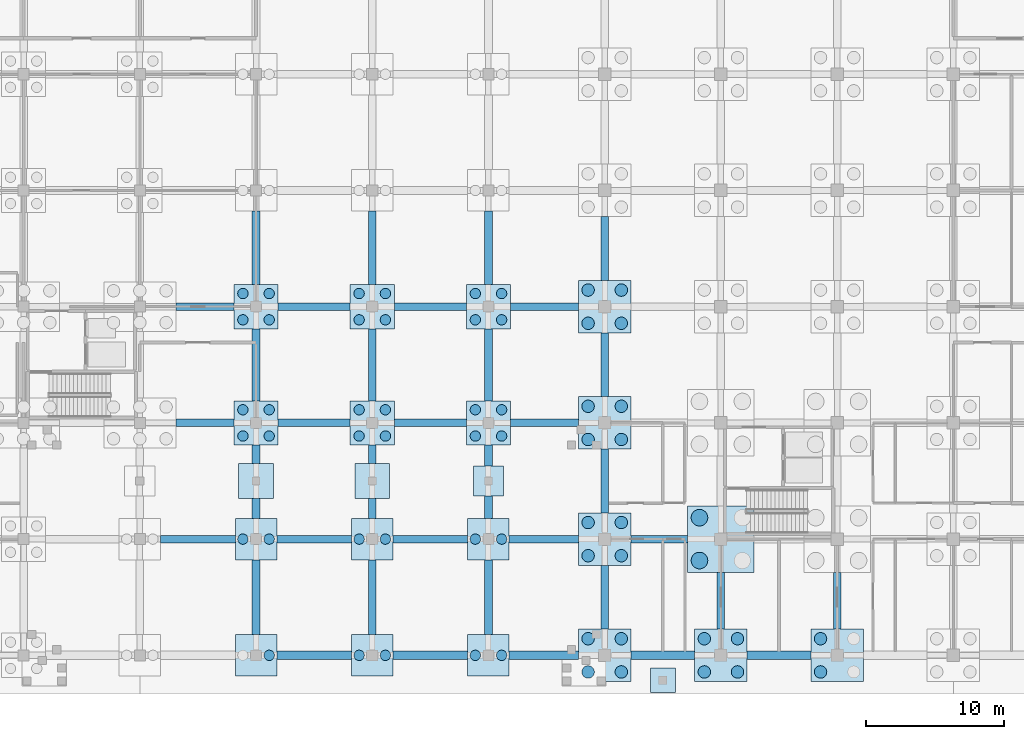
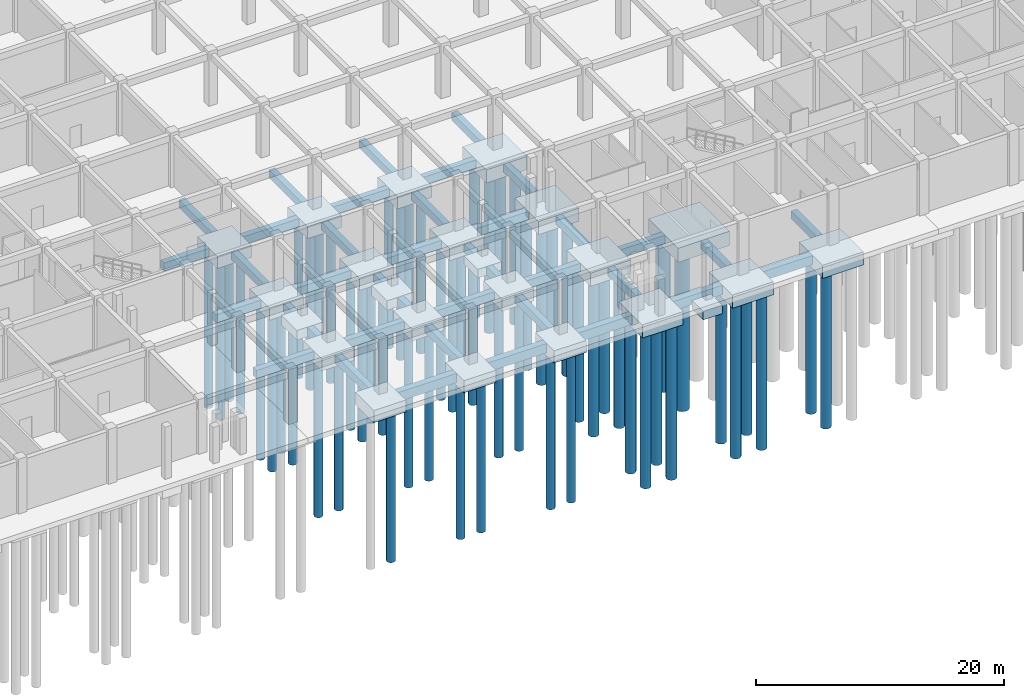
# One storey, part 4 of 65: 62 footings, 59 piles.
"""IFC4 building model written with IfcOpenShell, lengths in metres."""

from ifc_helpers import new_model, si_unit, direction, frame, origin, origin_2d, place, context, subcontext, project, spatial, rectangle, circle, extrude, material, material_profile, profile_set, type_object, element, save


model = new_model("IFC4")

# Units and contexts
model_context = context("Model", 3, precision=1e-05, world=origin(), true_north=direction((0.0, 1.0)))
body_context = subcontext(model_context, "Body", "Model", "MODEL_VIEW")
ifc_project = project(units=[si_unit("LENGTHUNIT", "METRE"), si_unit("AREAUNIT", "SQUARE_METRE"), si_unit("VOLUMEUNIT", "CUBIC_METRE"), si_unit("PLANEANGLEUNIT", "RADIAN"), si_unit("MASSUNIT", "GRAM", prefix="KILO")], contexts=[model_context])

# Site, building, storey
site_placement = place(None, origin())
site = spatial("IfcSite", under=ifc_project, at=site_placement, CompositionType="ELEMENT")
building_placement = place(site_placement, origin())
building = spatial("IfcBuilding", under=site, at=building_placement, Name="Bramfleet General Hospital", CompositionType="ELEMENT")
storey_placement = place(building_placement, frame((0.0, 0.0, -5.39990234375)))
storey = spatial("IfcBuildingStorey", under=building, at=storey_placement, Name="B1", CompositionType="ELEMENT", Elevation=-5.39990234375)

# Footings
ifc_material = material(Name="Concrete C35/45", Category="concrete")
ifc_material_profile_1 = material_profile(ifc_material, rectangle(XDim=0.550048828125, YDim=0.800048828125, at=origin_2d()), Name="RC FB 800x550")
ifc_profile_set_1 = profile_set([ifc_material_profile_1], Name="Concrete C35/45")
footing_type_1 = type_object("IfcFootingType", Name="FTG-FB-01", PredefinedType="FOOTING_BEAM", material=ifc_profile_set_1)
footing_1_placement = place(storey_placement, frame((60.300048828125, 8.39990234375, -0.900146484375), z_axis=(1.0, 0.0, 0.0), x_axis=(0.0, 1.0, 0.0)))
element("IfcFooting", 1, at=footing_1_placement, inside=storey, type_object=footing_type_1, Name="Foundation Tie Beam X 07-01", PredefinedType="FOOTING_BEAM", context=body_context, shape_type="SweptSolid", body=[
    extrude(rectangle(XDim=0.550048828125, YDim=0.800048828125, at=origin_2d()), origin(), (0.0, 0.0, 1.0), 5.39990234375),
])
for number, where, z_axis, x_axis, name in (
    (2, (61.39990234375, 16.800048828125, -0.900146484375), (1.0, 0.0, 0.0), (0.0, 1.0, 0.0), "Foundation Tie Beam X 07-02"),
    (3, (61.39990234375, 25.199951171875, -0.900146484375), (1.0, 0.0, 0.0), (0.0, 1.0, 0.0), "Foundation Tie Beam X 07-03"),
):
    element("IfcFooting", number, at=place(storey_placement, frame(where, z_axis=z_axis, x_axis=x_axis)), inside=storey, type_object=footing_type_1, Name=name, PredefinedType="FOOTING_BEAM", context=body_context, shape_type="SweptSolid", body=[
        extrude(rectangle(XDim=0.550048828125, YDim=0.800048828125, at=origin_2d()), origin(), (0.0, 0.0, 1.0), 4.2001953125),
    ])
footing_2_placement = place(storey_placement, frame((67.199951171875, 1.5, -0.900146484375), z_axis=(0.0, 1.0, 0.0), x_axis=(-1.0, 0.0, 0.0)))
element("IfcFooting", 4, at=footing_2_placement, inside=storey, type_object=footing_type_1, Name="Foundation Tie Beam Y 08-00", PredefinedType="FOOTING_BEAM", context=body_context, shape_type="SweptSolid", body=[
    extrude(rectangle(XDim=0.550048828125, YDim=0.800048828125, at=origin_2d()), origin(), (0.0, 0.0, 1.0), 5.39990234375),
])
footing_3_placement = place(storey_placement, frame((68.699951171875, 8.39990234375, -0.900146484375), z_axis=(1.0, 0.0, 0.0), x_axis=(0.0, 1.0, 0.0)))
element("IfcFooting", 5, at=footing_3_placement, inside=storey, type_object=footing_type_1, Name="Foundation Tie Beam X 08-01", PredefinedType="FOOTING_BEAM", context=body_context, shape_type="SweptSolid", body=[
    extrude(rectangle(XDim=0.550048828125, YDim=0.800048828125, at=origin_2d()), origin(), (0.0, 0.0, 1.0), 5.400146484375),
])
footing_4_placement = place(storey_placement, frame((67.199951171875, 9.89990234375, -0.900146484375), z_axis=(0.0, 1.0, 0.0), x_axis=(-1.0, 0.0, 0.0)))
element("IfcFooting", 6, at=footing_4_placement, inside=storey, type_object=footing_type_1, Name="Foundation Tie Beam Y 08-01A", PredefinedType="FOOTING_BEAM", context=body_context, shape_type="SweptSolid", body=[
    extrude(rectangle(XDim=0.550048828125, YDim=0.800048828125, at=origin_2d()), origin(), (0.0, 0.0, 1.0), 1.4501953125),
])
footing_5_placement = place(storey_placement, frame((67.199951171875, 13.85009765625, -0.900146484375), z_axis=(0.0, 1.0, 0.0), x_axis=(-1.0, 0.0, 0.0)))
element("IfcFooting", 7, at=footing_5_placement, inside=storey, type_object=footing_type_1, Name="Foundation Tie Beam Y 08-01B", PredefinedType="FOOTING_BEAM", context=body_context, shape_type="SweptSolid", body=[
    extrude(rectangle(XDim=0.550048828125, YDim=0.800048828125, at=origin_2d()), origin(), (0.0, 0.0, 1.0), 1.349853515625),
])
footing_6_placement = place(storey_placement, frame((68.800048828125, 16.800048828125, -0.900146484375), z_axis=(1.0, 0.0, 0.0), x_axis=(0.0, 1.0, 0.0)))
element("IfcFooting", 8, at=footing_6_placement, inside=storey, type_object=footing_type_1, Name="Foundation Tie Beam X 08-02", PredefinedType="FOOTING_BEAM", context=body_context, shape_type="SweptSolid", body=[
    extrude(rectangle(XDim=0.550048828125, YDim=0.800048828125, at=origin_2d()), origin(), (0.0, 0.0, 1.0), 5.199951171875),
])
footing_7_placement = place(storey_placement, frame((67.199951171875, 18.39990234375, -0.900146484375), z_axis=(0.0, 1.0, 0.0), x_axis=(-1.0, 0.0, 0.0)))
element("IfcFooting", 9, at=footing_7_placement, inside=storey, type_object=footing_type_1, Name="Foundation Tie Beam Y 08-02", PredefinedType="FOOTING_BEAM", context=body_context, shape_type="SweptSolid", body=[
    extrude(rectangle(XDim=0.550048828125, YDim=0.800048828125, at=origin_2d()), origin(), (0.0, 0.0, 1.0), 5.2001953125),
])
footing_8_placement = place(storey_placement, frame((68.800048828125, 25.199951171875, -0.900146484375), z_axis=(1.0, 0.0, 0.0), x_axis=(0.0, 1.0, 0.0)))
element("IfcFooting", 10, at=footing_8_placement, inside=storey, type_object=footing_type_1, Name="Foundation Tie Beam X 08-03", PredefinedType="FOOTING_BEAM", context=body_context, shape_type="SweptSolid", body=[
    extrude(rectangle(XDim=0.550048828125, YDim=0.800048828125, at=origin_2d()), origin(), (0.0, 0.0, 1.0), 5.199951171875),
])
footing_9_placement = place(storey_placement, frame((67.199951171875, 26.800048828125, -0.900146484375), z_axis=(0.0, 1.0, 0.0), x_axis=(-1.0, 0.0, 0.0)))
element("IfcFooting", 11, at=footing_9_placement, inside=storey, type_object=footing_type_1, Name="Foundation Tie Beam Y 08-03", PredefinedType="FOOTING_BEAM", context=body_context, shape_type="SweptSolid", body=[
    extrude(rectangle(XDim=0.550048828125, YDim=0.800048828125, at=origin_2d()), origin(), (0.0, 0.0, 1.0), 5.300048828125),
])
for number, where, z_axis, x_axis, name in (
    (12, (75.60009765625, 1.5, -0.900146484375), (0.0, 1.0, 0.0), (-1.0, 0.0, 0.0), "Foundation Tie Beam Y 09-00"),
    (13, (77.10009765625, 8.39990234375, -0.900146484375), (1.0, 0.0, 0.0), (0.0, 1.0, 0.0), "Foundation Tie Beam X 09-01"),
):
    element("IfcFooting", number, at=place(storey_placement, frame(where, z_axis=z_axis, x_axis=x_axis)), inside=storey, type_object=footing_type_1, Name=name, PredefinedType="FOOTING_BEAM", context=body_context, shape_type="SweptSolid", body=[
        extrude(rectangle(XDim=0.550048828125, YDim=0.800048828125, at=origin_2d()), origin(), (0.0, 0.0, 1.0), 5.39990234375),
    ])
footing_10_placement = place(storey_placement, frame((75.60009765625, 9.89990234375, -0.900146484375), z_axis=(0.0, 1.0, 0.0), x_axis=(-1.0, 0.0, 0.0)))
element("IfcFooting", 14, at=footing_10_placement, inside=storey, type_object=footing_type_1, Name="Foundation Tie Beam Y 09-01A", PredefinedType="FOOTING_BEAM", context=body_context, shape_type="SweptSolid", body=[
    extrude(rectangle(XDim=0.550048828125, YDim=0.800048828125, at=origin_2d()), origin(), (0.0, 0.0, 1.0), 1.4501953125),
])
footing_11_placement = place(storey_placement, frame((75.60009765625, 13.85009765625, -0.900146484375), z_axis=(0.0, 1.0, 0.0), x_axis=(-1.0, 0.0, 0.0)))
element("IfcFooting", 15, at=footing_11_placement, inside=storey, type_object=footing_type_1, Name="Foundation Tie Beam Y 09-01B", PredefinedType="FOOTING_BEAM", context=body_context, shape_type="SweptSolid", body=[
    extrude(rectangle(XDim=0.550048828125, YDim=0.800048828125, at=origin_2d()), origin(), (0.0, 0.0, 1.0), 1.349853515625),
])
footing_12_placement = place(storey_placement, frame((77.199951171875, 16.800048828125, -0.900146484375), z_axis=(1.0, 0.0, 0.0), x_axis=(0.0, 1.0, 0.0)))
element("IfcFooting", 16, at=footing_12_placement, inside=storey, type_object=footing_type_1, Name="Foundation Tie Beam X 09-02", PredefinedType="FOOTING_BEAM", context=body_context, shape_type="SweptSolid", body=[
    extrude(rectangle(XDim=0.550048828125, YDim=0.800048828125, at=origin_2d()), origin(), (0.0, 0.0, 1.0), 5.199951171875),
])
footing_13_placement = place(storey_placement, frame((75.60009765625, 18.39990234375, -0.900146484375), z_axis=(0.0, 1.0, 0.0), x_axis=(-1.0, 0.0, 0.0)))
element("IfcFooting", 17, at=footing_13_placement, inside=storey, type_object=footing_type_1, Name="Foundation Tie Beam Y 09-02", PredefinedType="FOOTING_BEAM", context=body_context, shape_type="SweptSolid", body=[
    extrude(rectangle(XDim=0.550048828125, YDim=0.800048828125, at=origin_2d()), origin(), (0.0, 0.0, 1.0), 5.2001953125),
])
footing_14_placement = place(storey_placement, frame((77.199951171875, 25.199951171875, -0.900146484375), z_axis=(1.0, 0.0, 0.0), x_axis=(0.0, 1.0, 0.0)))
element("IfcFooting", 18, at=footing_14_placement, inside=storey, type_object=footing_type_1, Name="Foundation Tie Beam X 09-03", PredefinedType="FOOTING_BEAM", context=body_context, shape_type="SweptSolid", body=[
    extrude(rectangle(XDim=0.550048828125, YDim=0.800048828125, at=origin_2d()), origin(), (0.0, 0.0, 1.0), 5.199951171875),
])
footing_15_placement = place(storey_placement, frame((75.60009765625, 26.800048828125, -0.900146484375), z_axis=(0.0, 1.0, 0.0), x_axis=(-1.0, 0.0, 0.0)))
element("IfcFooting", 19, at=footing_15_placement, inside=storey, type_object=footing_type_1, Name="Foundation Tie Beam Y 09-03", PredefinedType="FOOTING_BEAM", context=body_context, shape_type="SweptSolid", body=[
    extrude(rectangle(XDim=0.550048828125, YDim=0.800048828125, at=origin_2d()), origin(), (0.0, 0.0, 1.0), 5.300048828125),
])
footing_16_placement = place(storey_placement, frame((84.0, 1.5, -0.900146484375), z_axis=(0.0, 1.0, 0.0), x_axis=(-1.0, 0.0, 0.0)))
element("IfcFooting", 20, at=footing_16_placement, inside=storey, type_object=footing_type_1, Name="Foundation Tie Beam Y 10-00", PredefinedType="FOOTING_BEAM", context=body_context, shape_type="SweptSolid", body=[
    extrude(rectangle(XDim=0.550048828125, YDim=0.800048828125, at=origin_2d()), origin(), (0.0, 0.0, 1.0), 5.39990234375),
])
footing_17_placement = place(storey_placement, frame((85.5, 8.39990234375, -0.900146484375), z_axis=(1.0, 0.0, 0.0), x_axis=(0.0, 1.0, 0.0)))
element("IfcFooting", 21, at=footing_17_placement, inside=storey, type_object=footing_type_1, Name="Foundation Tie Beam X 10-01", PredefinedType="FOOTING_BEAM", context=body_context, shape_type="SweptSolid", body=[
    extrude(rectangle(XDim=0.550048828125, YDim=0.800048828125, at=origin_2d()), origin(), (0.0, 0.0, 1.0), 5.0),
])
footing_18_placement = place(storey_placement, frame((84.0, 9.89990234375, -0.900146484375), z_axis=(0.0, 1.0, 0.0), x_axis=(-1.0, 0.0, 0.0)))
element("IfcFooting", 22, at=footing_18_placement, inside=storey, type_object=footing_type_1, Name="Foundation Tie Beam Y 10-01A", PredefinedType="FOOTING_BEAM", context=body_context, shape_type="SweptSolid", body=[
    extrude(rectangle(XDim=0.550048828125, YDim=0.800048828125, at=origin_2d()), origin(), (0.0, 0.0, 1.0), 1.60009765625),
])
footing_19_placement = place(storey_placement, frame((84.0, 13.699951171875, -0.900146484375), z_axis=(0.0, 1.0, 0.0), x_axis=(-1.0, 0.0, 0.0)))
element("IfcFooting", 23, at=footing_19_placement, inside=storey, type_object=footing_type_1, Name="Foundation Tie Beam Y 10-01B", PredefinedType="FOOTING_BEAM", context=body_context, shape_type="SweptSolid", body=[
    extrude(rectangle(XDim=0.550048828125, YDim=0.800048828125, at=origin_2d()), origin(), (0.0, 0.0, 1.0), 1.5),
])
footing_20_placement = place(storey_placement, frame((85.60009765625, 16.800048828125, -0.900146484375), z_axis=(1.0, 0.0, 0.0), x_axis=(0.0, 1.0, 0.0)))
element("IfcFooting", 24, at=footing_20_placement, inside=storey, type_object=footing_type_1, Name="Foundation Tie Beam X 10-02", PredefinedType="FOOTING_BEAM", context=body_context, shape_type="SweptSolid", body=[
    extrude(rectangle(XDim=0.550048828125, YDim=0.800048828125, at=origin_2d()), origin(), (0.0, 0.0, 1.0), 4.89990234375),
])
footing_21_placement = place(storey_placement, frame((84.0, 18.39990234375, -0.900146484375), z_axis=(0.0, 1.0, 0.0), x_axis=(-1.0, 0.0, 0.0)))
element("IfcFooting", 25, at=footing_21_placement, inside=storey, type_object=footing_type_1, Name="Foundation Tie Beam Y 10-02", PredefinedType="FOOTING_BEAM", context=body_context, shape_type="SweptSolid", body=[
    extrude(rectangle(XDim=0.550048828125, YDim=0.800048828125, at=origin_2d()), origin(), (0.0, 0.0, 1.0), 5.2001953125),
])
footing_22_placement = place(storey_placement, frame((85.60009765625, 25.199951171875, -0.900146484375), z_axis=(1.0, 0.0, 0.0), x_axis=(0.0, 1.0, 0.0)))
element("IfcFooting", 26, at=footing_22_placement, inside=storey, type_object=footing_type_1, Name="Foundation Tie Beam X 10-03", PredefinedType="FOOTING_BEAM", context=body_context, shape_type="SweptSolid", body=[
    extrude(rectangle(XDim=0.550048828125, YDim=0.800048828125, at=origin_2d()), origin(), (0.0, 0.0, 1.0), 4.89990234375),
])
footing_23_placement = place(storey_placement, frame((84.0, 26.800048828125, -0.900146484375), z_axis=(0.0, 1.0, 0.0), x_axis=(-1.0, 0.0, 0.0)))
element("IfcFooting", 27, at=footing_23_placement, inside=storey, type_object=footing_type_1, Name="Foundation Tie Beam Y 10-03", PredefinedType="FOOTING_BEAM", context=body_context, shape_type="SweptSolid", body=[
    extrude(rectangle(XDim=0.550048828125, YDim=0.800048828125, at=origin_2d()), origin(), (0.0, 0.0, 1.0), 5.300048828125),
])
footing_24_placement = place(storey_placement, frame((92.39990234375, 1.89990234375, -0.900146484375), z_axis=(0.0, 1.0, 0.0), x_axis=(-1.0, 0.0, 0.0)))
element("IfcFooting", 28, at=footing_24_placement, inside=storey, type_object=footing_type_1, Name="Foundation Tie Beam Y 11-00", PredefinedType="FOOTING_BEAM", context=body_context, shape_type="SweptSolid", body=[
    extrude(rectangle(XDim=0.550048828125, YDim=0.800048828125, at=origin_2d()), origin(), (0.0, 0.0, 1.0), 4.60009765625),
])
footing_25_placement = place(storey_placement, frame((94.300048828125, 8.39990234375, -0.900146484375), z_axis=(1.0, 0.0, 0.0), x_axis=(0.0, 1.0, 0.0)))
element("IfcFooting", 29, at=footing_25_placement, inside=storey, type_object=footing_type_1, Name="Foundation Tie Beam X 11-01", PredefinedType="FOOTING_BEAM", context=body_context, shape_type="SweptSolid", body=[
    extrude(rectangle(XDim=0.550048828125, YDim=0.800048828125, at=origin_2d()), origin(), (0.0, 0.0, 1.0), 4.099853515625),
])
footing_26_placement = place(storey_placement, frame((92.39990234375, 10.300048828125, -0.900146484375), z_axis=(0.0, 1.0, 0.0), x_axis=(-1.0, 0.0, 0.0)))
element("IfcFooting", 30, at=footing_26_placement, inside=storey, type_object=footing_type_1, Name="Foundation Tie Beam Y 11-01", PredefinedType="FOOTING_BEAM", context=body_context, shape_type="SweptSolid", body=[
    extrude(rectangle(XDim=0.550048828125, YDim=0.800048828125, at=origin_2d()), origin(), (0.0, 0.0, 1.0), 4.599853515625),
])
footing_27_placement = place(storey_placement, frame((92.39990234375, 18.699951171875, -0.900146484375), z_axis=(0.0, 1.0, 0.0), x_axis=(-1.0, 0.0, 0.0)))
element("IfcFooting", 31, at=footing_27_placement, inside=storey, type_object=footing_type_1, Name="Foundation Tie Beam Y 11-02", PredefinedType="FOOTING_BEAM", context=body_context, shape_type="SweptSolid", body=[
    extrude(rectangle(XDim=0.550048828125, YDim=0.800048828125, at=origin_2d()), origin(), (0.0, 0.0, 1.0), 4.60009765625),
])
footing_28_placement = place(storey_placement, frame((92.39990234375, 27.10009765625, -0.900146484375), z_axis=(0.0, 1.0, 0.0), x_axis=(-1.0, 0.0, 0.0)))
element("IfcFooting", 32, at=footing_28_placement, inside=storey, type_object=footing_type_1, Name="Foundation Tie Beam Y 11-03", PredefinedType="FOOTING_BEAM", context=body_context, shape_type="SweptSolid", body=[
    extrude(rectangle(XDim=0.550048828125, YDim=0.800048828125, at=origin_2d()), origin(), (0.0, 0.0, 1.0), 4.599853515625),
])
for number, where, z_axis, x_axis, name in (
    (33, (100.800048828125, 1.89990234375, -0.900146484375), (0.0, 1.0, 0.0), (-1.0, 0.0, 0.0), "Foundation Tie Beam Y 12-00"),
    (34, (109.199951171875, 1.89990234375, -0.900146484375), (0.0, 1.0, 0.0), (-1.0, 0.0, 0.0), "Foundation Tie Beam Y 13-00"),
):
    element("IfcFooting", number, at=place(storey_placement, frame(where, z_axis=z_axis, x_axis=x_axis)), inside=storey, type_object=footing_type_1, Name=name, PredefinedType="FOOTING_BEAM", context=body_context, shape_type="SweptSolid", body=[
        extrude(rectangle(XDim=0.550048828125, YDim=0.800048828125, at=origin_2d()), origin(), (0.0, 0.0, 1.0), 4.10009765625),
    ])
ifc_material_profile_2 = material_profile(ifc_material, rectangle(XDim=0.60009765625, YDim=0.89990234375, at=origin_2d()), Name="RC FB 900x600")
ifc_profile_set_2 = profile_set([ifc_material_profile_2], Name="Concrete C35/45")
footing_type_2 = type_object("IfcFootingType", Name="FTG-FB-02", PredefinedType="FOOTING_BEAM", material=ifc_profile_set_2)
footing_29_placement = place(storey_placement, frame((68.699951171875, 0.0, -0.9501953125), z_axis=(1.0, 0.0, 0.0), x_axis=(0.0, 1.0, 0.0)))
element("IfcFooting", 35, at=footing_29_placement, inside=storey, type_object=footing_type_2, Name="Foundation Tie Beam X 08-00", PredefinedType="FOOTING_BEAM", context=body_context, shape_type="SweptSolid", body=[
    extrude(rectangle(XDim=0.60009765625, YDim=0.89990234375, at=origin_2d()), origin(), (0.0, 0.0, 1.0), 5.400146484375),
])
footing_30_placement = place(storey_placement, frame((77.10009765625, 0.0, -0.9501953125), z_axis=(1.0, 0.0, 0.0), x_axis=(0.0, 1.0, 0.0)))
element("IfcFooting", 36, at=footing_30_placement, inside=storey, type_object=footing_type_2, Name="Foundation Tie Beam X 09-00", PredefinedType="FOOTING_BEAM", context=body_context, shape_type="SweptSolid", body=[
    extrude(rectangle(XDim=0.60009765625, YDim=0.89990234375, at=origin_2d()), origin(), (0.0, 0.0, 1.0), 5.39990234375),
])
footing_31_placement = place(storey_placement, frame((85.5, 0.0, -0.9501953125), z_axis=(1.0, 0.0, 0.0), x_axis=(0.0, 1.0, 0.0)))
element("IfcFooting", 37, at=footing_31_placement, inside=storey, type_object=footing_type_2, Name="Foundation Tie Beam X 10-00", PredefinedType="FOOTING_BEAM", context=body_context, shape_type="SweptSolid", body=[
    extrude(rectangle(XDim=0.60009765625, YDim=0.89990234375, at=origin_2d()), origin(), (0.0, 0.0, 1.0), 5.0),
])
footing_32_placement = place(storey_placement, frame((94.300048828125, 0.0, -0.9501953125), z_axis=(1.0, 0.0, 0.0), x_axis=(0.0, 1.0, 0.0)))
element("IfcFooting", 38, at=footing_32_placement, inside=storey, type_object=footing_type_2, Name="Foundation Tie Beam X 11-00", PredefinedType="FOOTING_BEAM", context=body_context, shape_type="SweptSolid", body=[
    extrude(rectangle(XDim=0.60009765625, YDim=0.89990234375, at=origin_2d()), origin(), (0.0, 0.0, 1.0), 4.599853515625),
])
footing_33_placement = place(storey_placement, frame((102.699951171875, 0.0, -0.9501953125), z_axis=(1.0, 0.0, 0.0), x_axis=(0.0, 1.0, 0.0)))
element("IfcFooting", 39, at=footing_33_placement, inside=storey, type_object=footing_type_2, Name="Foundation Tie Beam X 12-00", PredefinedType="FOOTING_BEAM", context=body_context, shape_type="SweptSolid", body=[
    extrude(rectangle(XDim=0.60009765625, YDim=0.89990234375, at=origin_2d()), origin(), (0.0, 0.0, 1.0), 4.60009765625),
])
footing_type_3 = type_object("IfcFootingType", Name="FTG-PC-01", PredefinedType="PILE_CAP", material=ifc_material)
for number, where, z_axis, x_axis, name in (
    (40, (67.199951171875, 0.0, -1.7001953125), (0.0, 0.0, 1.0), (1.0, 0.0, 0.0), "Pile Cap FTG-B1-08-00"),
    (41, (67.199951171875, 8.39990234375, -1.7001953125), (0.0, 0.0, 1.0), (1.0, 0.0, 0.0), "Pile Cap FTG-B1-08-01"),
    (42, (75.60009765625, 0.0, -1.7001953125), (0.0, 0.0, 1.0), (1.0, 0.0, 0.0), "Pile Cap FTG-B1-09-00"),
    (43, (75.60009765625, 8.39990234375, -1.7001953125), (0.0, 0.0, 1.0), (1.0, 0.0, 0.0), "Pile Cap FTG-B1-09-01"),
    (44, (84.0, 0.0, -1.7001953125), (0.0, 0.0, 1.0), (1.0, 0.0, 0.0), "Pile Cap FTG-B1-10-00"),
    (45, (84.0, 8.39990234375, -1.7001953125), (0.0, 0.0, 1.0), (1.0, 0.0, 0.0), "Pile Cap FTG-B1-10-01"),
):
    element("IfcFooting", number, at=place(storey_placement, frame(where, z_axis=z_axis, x_axis=x_axis)), inside=storey, type_object=footing_type_3, Name=name, PredefinedType="PILE_CAP", context=body_context, shape_type="SweptSolid", body=[
        extrude(rectangle(XDim=3.0, YDim=3.0, at=origin_2d()), origin(), (0.0, 0.0, 1.0), 1.199951171875),
    ])
footing_type_4 = type_object("IfcFootingType", Name="FTG-PC-02", PredefinedType="PILE_CAP", material=ifc_material)
for number, where, z_axis, x_axis, name in (
    (46, (67.199951171875, 16.800048828125, -1.7001953125), (0.0, 0.0, 1.0), (1.0, 0.0, 0.0), "Pile Cap FTG-B1-08-02"),
    (47, (67.199951171875, 25.199951171875, -1.7001953125), (0.0, 0.0, 1.0), (1.0, 0.0, 0.0), "Pile Cap FTG-B1-08-03"),
    (48, (75.60009765625, 16.800048828125, -1.7001953125), (0.0, 0.0, 1.0), (1.0, 0.0, 0.0), "Pile Cap FTG-B1-09-02"),
    (49, (75.60009765625, 25.199951171875, -1.7001953125), (0.0, 0.0, 1.0), (1.0, 0.0, 0.0), "Pile Cap FTG-B1-09-03"),
    (50, (84.0, 16.800048828125, -1.7001953125), (0.0, 0.0, 1.0), (1.0, 0.0, 0.0), "Pile Cap FTG-B1-10-02"),
    (51, (84.0, 25.199951171875, -1.7001953125), (0.0, 0.0, 1.0), (1.0, 0.0, 0.0), "Pile Cap FTG-B1-10-03"),
):
    element("IfcFooting", number, at=place(storey_placement, frame(where, z_axis=z_axis, x_axis=x_axis)), inside=storey, type_object=footing_type_4, Name=name, PredefinedType="PILE_CAP", context=body_context, shape_type="SweptSolid", body=[
        extrude(rectangle(XDim=3.199951171875, YDim=3.199951171875, at=origin_2d()), origin(), (0.0, 0.0, 1.0), 1.199951171875),
    ])
footing_type_5 = type_object("IfcFootingType", Name="FTG-PC-04", PredefinedType="PILE_CAP", material=ifc_material)
for number, where, z_axis, x_axis, name in (
    (52, (92.39990234375, 0.0, -1.80029296875), (0.0, 0.0, 1.0), (1.0, 0.0, 0.0), "Pile Cap FTG-B1-11-00"),
    (53, (92.39990234375, 8.39990234375, -1.80029296875), (0.0, 0.0, 1.0), (1.0, 0.0, 0.0), "Pile Cap FTG-B1-11-01"),
    (54, (92.39990234375, 16.800048828125, -1.80029296875), (0.0, 0.0, 1.0), (1.0, 0.0, 0.0), "Pile Cap FTG-B1-11-02"),
    (55, (92.39990234375, 25.199951171875, -1.80029296875), (0.0, 0.0, 1.0), (1.0, 0.0, 0.0), "Pile Cap FTG-B1-11-03"),
    (56, (100.800048828125, 0.0, -1.80029296875), (0.0, 0.0, 1.0), (1.0, 0.0, 0.0), "Pile Cap FTG-B1-12-00"),
    (57, (109.199951171875, 0.0, -1.80029296875), (0.0, 0.0, 1.0), (1.0, 0.0, 0.0), "Pile Cap FTG-B1-13-00"),
):
    element("IfcFooting", number, at=place(storey_placement, frame(where, z_axis=z_axis, x_axis=x_axis)), inside=storey, type_object=footing_type_5, Name=name, PredefinedType="PILE_CAP", context=body_context, shape_type="SweptSolid", body=[
        extrude(rectangle(XDim=3.800048828125, YDim=3.800048828125, at=origin_2d()), origin(), (0.0, 0.0, 1.0), 1.300048828125),
    ])
footing_type_6 = type_object("IfcFootingType", Name="FTG-PC-05", PredefinedType="PILE_CAP", material=ifc_material)
footing_34_placement = place(storey_placement, frame((100.800048828125, 8.39990234375, -1.900146484375), z_axis=(0.0, 0.0, 1.0), x_axis=(1.0, 0.0, 0.0)))
element("IfcFooting", 58, at=footing_34_placement, inside=storey, type_object=footing_type_6, Name="Pile Cap FTG-B1-12-01", PredefinedType="PILE_CAP", context=body_context, shape_type="SweptSolid", body=[
    extrude(rectangle(XDim=4.800048828125, YDim=4.800048828125, at=origin_2d()), origin(), (0.0, 0.0, 1.0), 1.39990234375),
])
footing_type_7 = type_object("IfcFootingType", Name="FTG-PF-01", PredefinedType="PAD_FOOTING", material=ifc_material)
footing_35_placement = place(storey_placement, frame((84.0, 12.60009765625, -1.35009765625), z_axis=(0.0, 0.0, 1.0), x_axis=(1.0, 0.0, 0.0)))
element("IfcFooting", 59, at=footing_35_placement, inside=storey, type_object=footing_type_7, Name="Canopy Foundation Pad Footing 4", PredefinedType="PAD_FOOTING", context=body_context, shape_type="SweptSolid", body=[
    extrude(rectangle(XDim=2.199951171875, YDim=2.199951171875, at=origin_2d()), origin(), (0.0, 0.0, 1.0), 0.85009765625),
])
footing_36_placement = place(storey_placement, frame((96.60009765625, -1.800048828125, -1.35009765625), z_axis=(0.0, 0.0, 1.0), x_axis=(1.0, 0.0, 0.0)))
element("IfcFooting", 60, at=footing_36_placement, inside=storey, type_object=footing_type_7, Name="South Plinth Pad Footing 3", PredefinedType="PAD_FOOTING", context=body_context, shape_type="SweptSolid", body=[
    extrude(rectangle(XDim=1.800048828125, YDim=1.800048828125, at=origin_2d()), origin(), (0.0, 0.0, 1.0), 0.85009765625),
])
footing_type_8 = type_object("IfcFootingType", Name="FTG-PF-02", PredefinedType="PAD_FOOTING", material=ifc_material)
for number, where, z_axis, x_axis, name in (
    (61, (67.199951171875, 12.60009765625, -1.4501953125), (0.0, 0.0, 1.0), (1.0, 0.0, 0.0), "Canopy Foundation Pad Footing 2"),
    (62, (75.60009765625, 12.60009765625, -1.4501953125), (0.0, 0.0, 1.0), (1.0, 0.0, 0.0), "Canopy Foundation Pad Footing 3"),
):
    element("IfcFooting", number, at=place(storey_placement, frame(where, z_axis=z_axis, x_axis=x_axis)), inside=storey, type_object=footing_type_8, Name=name, PredefinedType="PAD_FOOTING", context=body_context, shape_type="SweptSolid", body=[
        extrude(rectangle(XDim=2.5, YDim=2.5, at=origin_2d()), origin(), (0.0, 0.0, 1.0), 0.949951171875),
    ])

# Piles
ifc_material_profile_3 = material_profile(ifc_material, circle(Radius=0.60009765625, at=origin_2d()), Name="PILE BORED D1200")
ifc_profile_set_3 = profile_set([ifc_material_profile_3], Name="Concrete C35/45")
pile_type_1 = type_object("IfcPileType", Name="PILE-D1200", PredefinedType="BORED", material=ifc_profile_set_3)
for number, where, z_axis, x_axis, name in (
    (63, (99.25, 6.85009765625, -1.800048828125), (0.0, 0.0, -1.0), (1.0, 0.0, 0.0), "Bored Pile PILE-B1-12-01-1"),
    (64, (99.25, 9.949951171875, -1.800048828125), (0.0, 0.0, -1.0), (1.0, 0.0, 0.0), "Bored Pile PILE-B1-12-01-3"),
):
    element("IfcPile", number, at=place(storey_placement, frame(where, z_axis=z_axis, x_axis=x_axis)), inside=storey, type_object=pile_type_1, Name=name, PredefinedType="BORED", context=body_context, shape_type="SweptSolid", body=[
        extrude(circle(Radius=0.60009765625, at=origin_2d()), origin(), (0.0, 0.0, 1.0), 15.199951171875),
    ])
ifc_material_profile_4 = material_profile(ifc_material, circle(Radius=0.375, at=origin_2d()), Name="PILE BORED D750")
ifc_profile_set_4 = profile_set([ifc_material_profile_4], Name="Concrete C35/45")
pile_type_2 = type_object("IfcPileType", Name="PILE-D750", PredefinedType="BORED", material=ifc_profile_set_4)
for number, where, z_axis, x_axis, name in (
    (65, (68.14990234375, 0.0, -1.60009765625), (0.0, 0.0, -1.0), (1.0, 0.0, 0.0), "Bored Pile PILE-B1-08-00-2"),
    (66, (66.25, 8.39990234375, -1.60009765625), (0.0, 0.0, -1.0), (1.0, 0.0, 0.0), "Bored Pile PILE-B1-08-01-1"),
    (67, (68.14990234375, 8.39990234375, -1.60009765625), (0.0, 0.0, -1.0), (1.0, 0.0, 0.0), "Bored Pile PILE-B1-08-01-2"),
    (68, (66.25, 15.85009765625, -1.60009765625), (0.0, 0.0, -1.0), (1.0, 0.0, 0.0), "Bored Pile PILE-B1-08-02-1"),
    (69, (68.14990234375, 15.85009765625, -1.60009765625), (0.0, 0.0, -1.0), (1.0, 0.0, 0.0), "Bored Pile PILE-B1-08-02-2"),
    (70, (66.25, 17.75, -1.60009765625), (0.0, 0.0, -1.0), (1.0, 0.0, 0.0), "Bored Pile PILE-B1-08-02-3"),
    (71, (68.14990234375, 17.75, -1.60009765625), (0.0, 0.0, -1.0), (1.0, 0.0, 0.0), "Bored Pile PILE-B1-08-02-4"),
    (72, (66.25, 24.25, -1.60009765625), (0.0, 0.0, -1.0), (1.0, 0.0, 0.0), "Bored Pile PILE-B1-08-03-1"),
    (73, (68.14990234375, 24.25, -1.60009765625), (0.0, 0.0, -1.0), (1.0, 0.0, 0.0), "Bored Pile PILE-B1-08-03-2"),
    (74, (66.25, 26.14990234375, -1.60009765625), (0.0, 0.0, -1.0), (1.0, 0.0, 0.0), "Bored Pile PILE-B1-08-03-3"),
    (75, (68.14990234375, 26.14990234375, -1.60009765625), (0.0, 0.0, -1.0), (1.0, 0.0, 0.0), "Bored Pile PILE-B1-08-03-4"),
    (76, (74.64990234375, 0.0, -1.60009765625), (0.0, 0.0, -1.0), (1.0, 0.0, 0.0), "Bored Pile PILE-B1-09-00-1"),
    (77, (76.550048828125, 0.0, -1.60009765625), (0.0, 0.0, -1.0), (1.0, 0.0, 0.0), "Bored Pile PILE-B1-09-00-2"),
    (78, (74.64990234375, 8.39990234375, -1.60009765625), (0.0, 0.0, -1.0), (1.0, 0.0, 0.0), "Bored Pile PILE-B1-09-01-1"),
    (79, (76.550048828125, 8.39990234375, -1.60009765625), (0.0, 0.0, -1.0), (1.0, 0.0, 0.0), "Bored Pile PILE-B1-09-01-2"),
    (80, (74.64990234375, 15.85009765625, -1.60009765625), (0.0, 0.0, -1.0), (1.0, 0.0, 0.0), "Bored Pile PILE-B1-09-02-1"),
    (81, (76.550048828125, 15.85009765625, -1.60009765625), (0.0, 0.0, -1.0), (1.0, 0.0, 0.0), "Bored Pile PILE-B1-09-02-2"),
    (82, (74.64990234375, 17.75, -1.60009765625), (0.0, 0.0, -1.0), (1.0, 0.0, 0.0), "Bored Pile PILE-B1-09-02-3"),
    (83, (76.550048828125, 17.75, -1.60009765625), (0.0, 0.0, -1.0), (1.0, 0.0, 0.0), "Bored Pile PILE-B1-09-02-4"),
    (84, (74.64990234375, 24.25, -1.60009765625), (0.0, 0.0, -1.0), (1.0, 0.0, 0.0), "Bored Pile PILE-B1-09-03-1"),
    (85, (76.550048828125, 24.25, -1.60009765625), (0.0, 0.0, -1.0), (1.0, 0.0, 0.0), "Bored Pile PILE-B1-09-03-2"),
    (86, (74.64990234375, 26.14990234375, -1.60009765625), (0.0, 0.0, -1.0), (1.0, 0.0, 0.0), "Bored Pile PILE-B1-09-03-3"),
    (87, (76.550048828125, 26.14990234375, -1.60009765625), (0.0, 0.0, -1.0), (1.0, 0.0, 0.0), "Bored Pile PILE-B1-09-03-4"),
    (88, (83.050048828125, 0.0, -1.60009765625), (0.0, 0.0, -1.0), (1.0, 0.0, 0.0), "Bored Pile PILE-B1-10-00-1"),
    (89, (84.949951171875, 0.0, -1.60009765625), (0.0, 0.0, -1.0), (1.0, 0.0, 0.0), "Bored Pile PILE-B1-10-00-2"),
    (90, (83.050048828125, 8.39990234375, -1.60009765625), (0.0, 0.0, -1.0), (1.0, 0.0, 0.0), "Bored Pile PILE-B1-10-01-1"),
    (91, (84.949951171875, 8.39990234375, -1.60009765625), (0.0, 0.0, -1.0), (1.0, 0.0, 0.0), "Bored Pile PILE-B1-10-01-2"),
    (92, (83.050048828125, 15.85009765625, -1.60009765625), (0.0, 0.0, -1.0), (1.0, 0.0, 0.0), "Bored Pile PILE-B1-10-02-1"),
    (93, (84.949951171875, 15.85009765625, -1.60009765625), (0.0, 0.0, -1.0), (1.0, 0.0, 0.0), "Bored Pile PILE-B1-10-02-2"),
    (94, (83.050048828125, 17.75, -1.60009765625), (0.0, 0.0, -1.0), (1.0, 0.0, 0.0), "Bored Pile PILE-B1-10-02-3"),
    (95, (84.949951171875, 17.75, -1.60009765625), (0.0, 0.0, -1.0), (1.0, 0.0, 0.0), "Bored Pile PILE-B1-10-02-4"),
    (96, (83.050048828125, 24.25, -1.60009765625), (0.0, 0.0, -1.0), (1.0, 0.0, 0.0), "Bored Pile PILE-B1-10-03-1"),
    (97, (84.949951171875, 24.25, -1.60009765625), (0.0, 0.0, -1.0), (1.0, 0.0, 0.0), "Bored Pile PILE-B1-10-03-2"),
    (98, (83.050048828125, 26.14990234375, -1.60009765625), (0.0, 0.0, -1.0), (1.0, 0.0, 0.0), "Bored Pile PILE-B1-10-03-3"),
    (99, (84.949951171875, 26.14990234375, -1.60009765625), (0.0, 0.0, -1.0), (1.0, 0.0, 0.0), "Bored Pile PILE-B1-10-03-4"),
):
    element("IfcPile", number, at=place(storey_placement, frame(where, z_axis=z_axis, x_axis=x_axis)), inside=storey, type_object=pile_type_2, Name=name, PredefinedType="BORED", context=body_context, shape_type="SweptSolid", body=[
        extrude(circle(Radius=0.375, at=origin_2d()), origin(), (0.0, 0.0, 1.0), 15.39990234375),
    ])
ifc_material_profile_5 = material_profile(ifc_material, circle(Radius=0.449951171875, at=origin_2d()), Name="PILE BORED D900")
ifc_profile_set_5 = profile_set([ifc_material_profile_5], Name="Concrete C35/45")
pile_type_3 = type_object("IfcPileType", Name="PILE-D900", PredefinedType="BORED", material=ifc_profile_set_5)
for number, where, z_axis, x_axis, name in (
    (100, (91.199951171875, -1.199951171875, -1.7001953125), (0.0, 0.0, -1.0), (1.0, 0.0, 0.0), "Bored Pile PILE-B1-11-00-1"),
    (101, (93.60009765625, -1.199951171875, -1.7001953125), (0.0, 0.0, -1.0), (1.0, 0.0, 0.0), "Bored Pile PILE-B1-11-00-2"),
    (102, (91.199951171875, 1.199951171875, -1.7001953125), (0.0, 0.0, -1.0), (1.0, 0.0, 0.0), "Bored Pile PILE-B1-11-00-3"),
    (103, (93.60009765625, 1.199951171875, -1.7001953125), (0.0, 0.0, -1.0), (1.0, 0.0, 0.0), "Bored Pile PILE-B1-11-00-4"),
    (104, (91.199951171875, 7.199951171875, -1.7001953125), (0.0, 0.0, -1.0), (1.0, 0.0, 0.0), "Bored Pile PILE-B1-11-01-1"),
    (105, (93.60009765625, 7.199951171875, -1.7001953125), (0.0, 0.0, -1.0), (1.0, 0.0, 0.0), "Bored Pile PILE-B1-11-01-2"),
    (106, (91.199951171875, 9.60009765625, -1.7001953125), (0.0, 0.0, -1.0), (1.0, 0.0, 0.0), "Bored Pile PILE-B1-11-01-3"),
    (107, (93.60009765625, 9.60009765625, -1.7001953125), (0.0, 0.0, -1.0), (1.0, 0.0, 0.0), "Bored Pile PILE-B1-11-01-4"),
    (108, (91.199951171875, 15.60009765625, -1.7001953125), (0.0, 0.0, -1.0), (1.0, 0.0, 0.0), "Bored Pile PILE-B1-11-02-1"),
    (109, (93.60009765625, 15.60009765625, -1.7001953125), (0.0, 0.0, -1.0), (1.0, 0.0, 0.0), "Bored Pile PILE-B1-11-02-2"),
    (110, (91.199951171875, 18.0, -1.7001953125), (0.0, 0.0, -1.0), (1.0, 0.0, 0.0), "Bored Pile PILE-B1-11-02-3"),
    (111, (93.60009765625, 18.0, -1.7001953125), (0.0, 0.0, -1.0), (1.0, 0.0, 0.0), "Bored Pile PILE-B1-11-02-4"),
    (112, (91.199951171875, 24.0, -1.7001953125), (0.0, 0.0, -1.0), (1.0, 0.0, 0.0), "Bored Pile PILE-B1-11-03-1"),
    (113, (93.60009765625, 24.0, -1.7001953125), (0.0, 0.0, -1.0), (1.0, 0.0, 0.0), "Bored Pile PILE-B1-11-03-2"),
    (114, (91.199951171875, 26.39990234375, -1.7001953125), (0.0, 0.0, -1.0), (1.0, 0.0, 0.0), "Bored Pile PILE-B1-11-03-3"),
    (115, (93.60009765625, 26.39990234375, -1.7001953125), (0.0, 0.0, -1.0), (1.0, 0.0, 0.0), "Bored Pile PILE-B1-11-03-4"),
    (116, (99.60009765625, -1.199951171875, -1.7001953125), (0.0, 0.0, -1.0), (1.0, 0.0, 0.0), "Bored Pile PILE-B1-12-00-1"),
    (117, (102.0, -1.199951171875, -1.7001953125), (0.0, 0.0, -1.0), (1.0, 0.0, 0.0), "Bored Pile PILE-B1-12-00-2"),
    (118, (99.60009765625, 1.199951171875, -1.7001953125), (0.0, 0.0, -1.0), (1.0, 0.0, 0.0), "Bored Pile PILE-B1-12-00-3"),
    (119, (102.0, 1.199951171875, -1.7001953125), (0.0, 0.0, -1.0), (1.0, 0.0, 0.0), "Bored Pile PILE-B1-12-00-4"),
    (120, (108.0, -1.199951171875, -1.7001953125), (0.0, 0.0, -1.0), (1.0, 0.0, 0.0), "Bored Pile PILE-B1-13-00-1"),
    (121, (108.0, 1.199951171875, -1.7001953125), (0.0, 0.0, -1.0), (1.0, 0.0, 0.0), "Bored Pile PILE-B1-13-00-3"),
):
    element("IfcPile", number, at=place(storey_placement, frame(where, z_axis=z_axis, x_axis=x_axis)), inside=storey, type_object=pile_type_3, Name=name, PredefinedType="BORED", context=body_context, shape_type="SweptSolid", body=[
        extrude(circle(Radius=0.449951171875, at=origin_2d()), origin(), (0.0, 0.0, 1.0), 15.300048828125),
    ])

save(model, "model.ifc")
